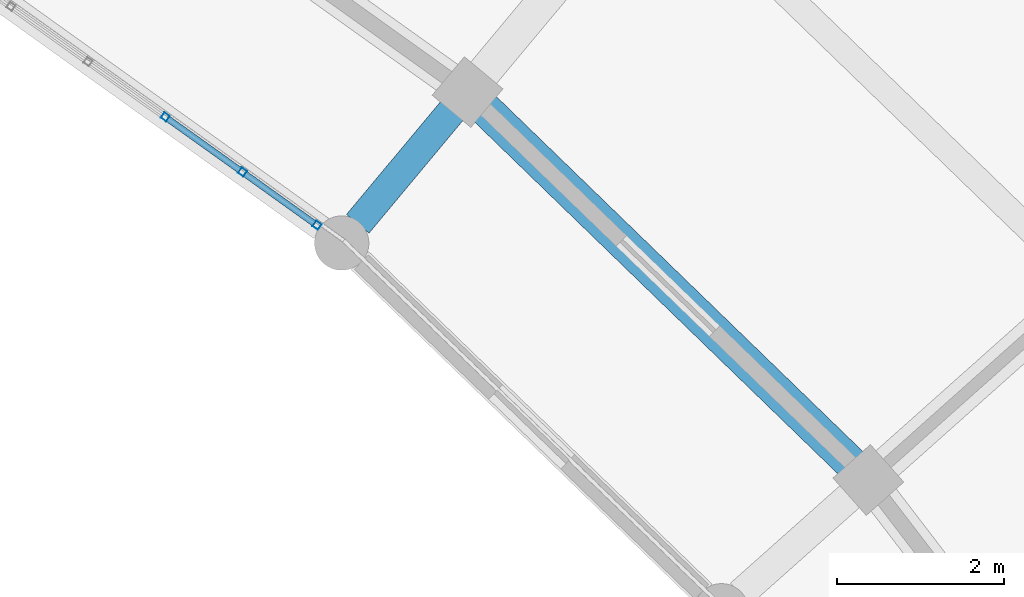
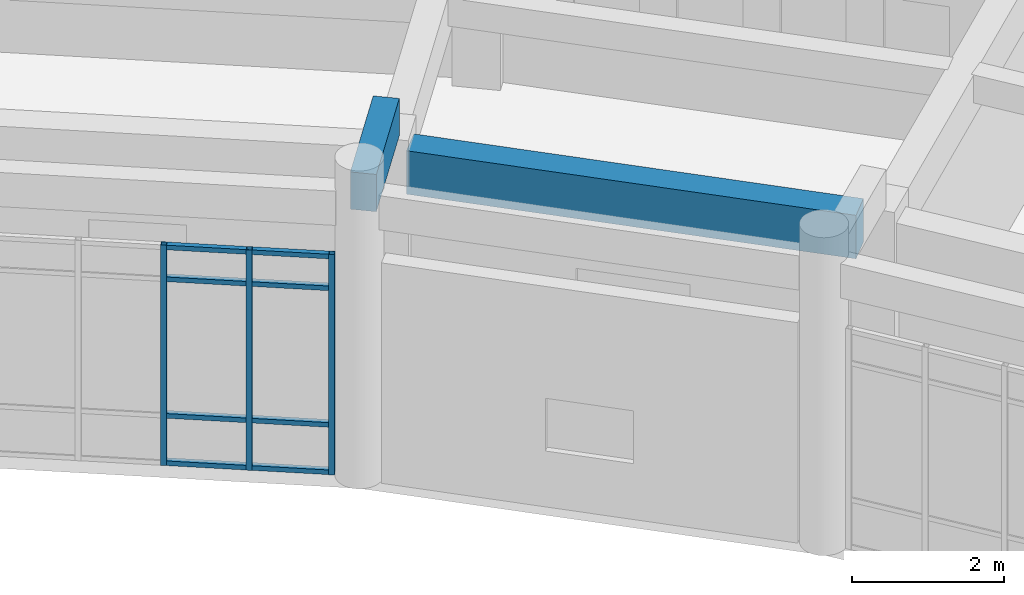
# One storey, part 79 of 159: 11 members, 2 beams, 1 element without a shape of its own.
"""IFC4 building model written with IfcOpenShell, lengths in metres."""

from ifc_helpers import new_model, si_unit, direction, frame, origin, origin_2d, place, context, subcontext, project, spatial, rectangle, hollow_rectangle, extrude, material, material_profile, profile_set, type_object, element, aggregate, save


model = new_model("IFC4")

# Units and contexts
model_context = context("Model", 3, precision=1e-05, world=origin(), true_north=direction((0.0, 1.0)))
body_context = subcontext(model_context, "Body", "Model", "MODEL_VIEW")
ifc_project = project(units=[si_unit("LENGTHUNIT", "METRE"), si_unit("AREAUNIT", "SQUARE_METRE"), si_unit("VOLUMEUNIT", "CUBIC_METRE"), si_unit("PLANEANGLEUNIT", "RADIAN"), si_unit("MASSUNIT", "GRAM", prefix="KILO")], contexts=[model_context])

# Site, building, storey
site_placement = place(None, origin())
site = spatial("IfcSite", under=ifc_project, at=site_placement, CompositionType="ELEMENT")
building_placement = place(site_placement, origin())
building = spatial("IfcBuilding", under=site, at=building_placement, Name="Celadon Cloister-Ring School", CompositionType="ELEMENT")
storey_placement = place(building_placement, frame((0.0, 0.0, 4.5)))
storey = spatial("IfcBuildingStorey", under=building, at=storey_placement, Name="L01", CompositionType="ELEMENT", Elevation=4.5)

# Beam
ifc_material_1 = material(Name="Concrete C35/45", Category="concrete")
ifc_material_profile_1 = material_profile(ifc_material_1, rectangle(XDim=0.35009765625, YDim=0.60009765625, at=origin_2d()), Name="RC350X600")
ifc_profile_set_1 = profile_set([ifc_material_profile_1], Name="Concrete C35/45")
beam_type_1 = type_object("IfcBeamType", Name="BT-02", PredefinedType="BEAM", material=ifc_profile_set_1)
beam_1_placement = place(storey_placement, frame((115.638916015625, 93.35400390625, 4.35009765625), z_axis=(-0.640279058295, -0.768142387523, 0.0), x_axis=(0.768142387523, -0.640279058295, 0.0)))
element("IfcBeam", 1, at=beam_1_placement, inside=storey, type_object=beam_type_1, Name="Beam 0264", PredefinedType="BEAM", context=body_context, shape_type="SweptSolid", body=[
    extrude(rectangle(XDim=0.35009765625, YDim=0.60009765625, at=origin_2d()), origin(), (0.0, 0.0, 1.0), 1.775634765625),
])

# Curtain wall, members
ifc_material_2 = material(Name="Aluminium EN AW-6063 T6", Category="aluminium")
curtain_wall_type = type_object("IfcCurtainWallType", Name="CW-01", PredefinedType="USERDEFINED", material=ifc_material_2)
curtain_wall_placement = place(storey_placement, origin())
curtain_wall = element("IfcCurtainWall", 2, at=curtain_wall_placement, inside=storey, type_object=curtain_wall_type, Name="Curtain Wall 0043", ObjectType="CURTAIN WALL", PredefinedType="USERDEFINED")
ifc_material_3 = material(Name="Aluminium EN AW-6063 T6", Category="aluminium")
ifc_material_profile_2 = material_profile(ifc_material_3, hollow_rectangle(XDim=0.080078125, YDim=0.080078125, WallThickness=0.00390625, at=origin_2d()), Name="RHS80X80X4")
ifc_profile_set_2 = profile_set([ifc_material_profile_2], Name="Aluminium EN AW-6063 T6")
member_type_1 = type_object("IfcMemberType", Name="CM-03", PredefinedType="MULLION", material=ifc_profile_set_2)
member_1_placement = place(storey_placement, frame((114.013427734375, 91.97216796875, 0.0), z_axis=(0.0, 0.0, 1.0), x_axis=(-0.581555173434, -0.813506963862, 0.0)))
member_1 = element("IfcMember", 3, at=member_1_placement, type_object=member_type_1, Name="CW-01 mullion 1", PredefinedType="MULLION", context=body_context, shape_type="SweptSolid", body=[
    extrude(hollow_rectangle(XDim=0.080078125, YDim=0.080078125, WallThickness=0.00390625, at=origin_2d()), origin(), (0.0, 0.0, 1.0), 3.550048828125),
])
member_2_placement = place(storey_placement, frame((113.12353515625, 92.6083984375, 0.0), z_axis=(0.0, 0.0, 1.0), x_axis=(-0.581555173434, -0.813506963862, 0.0)))
member_2 = element("IfcMember", 4, at=member_2_placement, type_object=member_type_1, Name="CW-01 mullion 2", PredefinedType="MULLION", context=body_context, shape_type="SweptSolid", body=[
    extrude(hollow_rectangle(XDim=0.080078125, YDim=0.080078125, WallThickness=0.00390625, at=origin_2d()), origin(), (0.0, 0.0, 1.0), 3.550048828125),
])
member_3_placement = place(storey_placement, frame((112.201171875, 93.267822265625, 0.0), z_axis=(0.0, 0.0, 1.0), x_axis=(-0.581555173434, -0.813506963862, 0.0)))
member_3 = element("IfcMember", 5, at=member_3_placement, type_object=member_type_1, Name="CW-01 mullion 3", PredefinedType="MULLION", context=body_context, shape_type="SweptSolid", body=[
    extrude(hollow_rectangle(XDim=0.080078125, YDim=0.080078125, WallThickness=0.00390625, at=origin_2d()), origin(), (0.0, 0.0, 1.0), 3.550048828125),
])
ifc_material_4 = material(Name="Aluminium EN AW-6063 T6", Category="aluminium")
ifc_material_profile_3 = material_profile(ifc_material_4, hollow_rectangle(XDim=0.074951171875, YDim=0.074951171875, WallThickness=0.00390625, at=origin_2d()), Name="RHS75X75X4")
ifc_profile_set_3 = profile_set([ifc_material_profile_3], Name="Aluminium EN AW-6063 T6")
member_type_2 = type_object("IfcMemberType", Name="CTM-03", PredefinedType="USERDEFINED", material=ifc_profile_set_3)
member_4_placement = place(storey_placement, frame((113.98095703125, 91.99560546875, 0.03759765625), z_axis=(-0.813489325329, 0.581579846261, 0.0), x_axis=(-0.581579846261, -0.813489325329, 0.0)))
member_4 = element("IfcMember", 6, at=member_4_placement, type_object=member_type_2, Name="CW-01 transom 1.1", ObjectType="TRANSOM", PredefinedType="USERDEFINED", context=body_context, shape_type="SweptSolid", body=[
    extrude(hollow_rectangle(XDim=0.074951171875, YDim=0.074951171875, WallThickness=0.00390625, at=origin_2d()), origin(), (0.0, 0.0, 1.0), 1.013671875),
])
member_5_placement = place(storey_placement, frame((113.98095703125, 91.99560546875, 0.800048828125), z_axis=(-0.813489325329, 0.581579846261, 0.0), x_axis=(-0.581579846261, -0.813489325329, 0.0)))
member_5 = element("IfcMember", 7, at=member_5_placement, type_object=member_type_2, Name="CW-01 transom 1.2", ObjectType="TRANSOM", PredefinedType="USERDEFINED", context=body_context, shape_type="SweptSolid", body=[
    extrude(hollow_rectangle(XDim=0.074951171875, YDim=0.074951171875, WallThickness=0.00390625, at=origin_2d()), origin(), (0.0, 0.0, 1.0), 1.013671875),
])
member_6_placement = place(storey_placement, frame((113.98095703125, 91.99560546875, 3.0), z_axis=(-0.813489325329, 0.581579846261, 0.0), x_axis=(-0.581579846261, -0.813489325329, 0.0)))
member_6 = element("IfcMember", 8, at=member_6_placement, type_object=member_type_2, Name="CW-01 transom 1.3", ObjectType="TRANSOM", PredefinedType="USERDEFINED", context=body_context, shape_type="SweptSolid", body=[
    extrude(hollow_rectangle(XDim=0.074951171875, YDim=0.074951171875, WallThickness=0.00390625, at=origin_2d()), origin(), (0.0, 0.0, 1.0), 1.013671875),
])
member_7_placement = place(storey_placement, frame((113.98095703125, 91.99560546875, 3.512451171875), z_axis=(-0.813489325329, 0.581579846261, 0.0), x_axis=(-0.581579846261, -0.813489325329, 0.0)))
member_7 = element("IfcMember", 9, at=member_7_placement, type_object=member_type_2, Name="CW-01 transom 1.4", ObjectType="TRANSOM", PredefinedType="USERDEFINED", context=body_context, shape_type="SweptSolid", body=[
    extrude(hollow_rectangle(XDim=0.074951171875, YDim=0.074951171875, WallThickness=0.00390625, at=origin_2d()), origin(), (0.0, 0.0, 1.0), 1.013671875),
])
member_8_placement = place(storey_placement, frame((113.091064453125, 92.631591796875, 0.03759765625), z_axis=(-0.813467330106, 0.581610611019, 0.0), x_axis=(-0.581610611019, -0.813467330106, 0.0)))
member_8 = element("IfcMember", 10, at=member_8_placement, type_object=member_type_2, Name="CW-01 transom 2.1", ObjectType="TRANSOM", PredefinedType="USERDEFINED", context=body_context, shape_type="SweptSolid", body=[
    extrude(hollow_rectangle(XDim=0.074951171875, YDim=0.074951171875, WallThickness=0.00390625, at=origin_2d()), origin(), (0.0, 0.0, 1.0), 1.053955078125),
])
member_9_placement = place(storey_placement, frame((113.091064453125, 92.631591796875, 0.800048828125), z_axis=(-0.813467330106, 0.581610611019, 0.0), x_axis=(-0.581610611019, -0.813467330106, 0.0)))
member_9 = element("IfcMember", 11, at=member_9_placement, type_object=member_type_2, Name="CW-01 transom 2.2", ObjectType="TRANSOM", PredefinedType="USERDEFINED", context=body_context, shape_type="SweptSolid", body=[
    extrude(hollow_rectangle(XDim=0.074951171875, YDim=0.074951171875, WallThickness=0.00390625, at=origin_2d()), origin(), (0.0, 0.0, 1.0), 1.053955078125),
])
member_10_placement = place(storey_placement, frame((113.091064453125, 92.631591796875, 3.0), z_axis=(-0.813467330106, 0.581610611019, 0.0), x_axis=(-0.581610611019, -0.813467330106, 0.0)))
member_10 = element("IfcMember", 12, at=member_10_placement, type_object=member_type_2, Name="CW-01 transom 2.3", ObjectType="TRANSOM", PredefinedType="USERDEFINED", context=body_context, shape_type="SweptSolid", body=[
    extrude(hollow_rectangle(XDim=0.074951171875, YDim=0.074951171875, WallThickness=0.00390625, at=origin_2d()), origin(), (0.0, 0.0, 1.0), 1.053955078125),
])
member_11_placement = place(storey_placement, frame((113.091064453125, 92.631591796875, 3.512451171875), z_axis=(-0.813467330106, 0.581610611019, 0.0), x_axis=(-0.581610611019, -0.813467330106, 0.0)))
member_11 = element("IfcMember", 13, at=member_11_placement, type_object=member_type_2, Name="CW-01 transom 2.4", ObjectType="TRANSOM", PredefinedType="USERDEFINED", context=body_context, shape_type="SweptSolid", body=[
    extrude(hollow_rectangle(XDim=0.074951171875, YDim=0.074951171875, WallThickness=0.00390625, at=origin_2d()), origin(), (0.0, 0.0, 1.0), 1.053955078125),
])
aggregate(curtain_wall, [member_1, member_2, member_3, member_4, member_5, member_6, member_7, member_8, member_9, member_10, member_11])

# Beam
ifc_material_5 = material(Name="Concrete C35/45", Category="concrete")
ifc_material_profile_4 = material_profile(ifc_material_5, rectangle(XDim=0.39990234375, YDim=0.699951171875, at=origin_2d()), Name="RC400X700")
ifc_profile_set_4 = profile_set([ifc_material_profile_4], Name="Concrete C35/45")
beam_type_2 = type_object("IfcBeamType", Name="GT-03", PredefinedType="USERDEFINED", material=ifc_profile_set_4)
beam_2_placement = place(storey_placement, frame((120.406982421875, 89.118896484375, 3.429931640625), z_axis=(-0.718371111719, 0.695660079239, 0.0), x_axis=(-0.695660079239, -0.718371111719, 0.0)))
element("IfcBeam", 14, at=beam_2_placement, inside=storey, type_object=beam_type_2, Name="Beam 0390", ObjectType="GIRDER", PredefinedType="USERDEFINED", context=body_context, shape_type="SweptSolid", body=[
    extrude(rectangle(XDim=0.39990234375, YDim=0.699951171875, at=origin_2d()), origin(), (0.0, 0.0, 1.0), 6.11669921875),
])

save(model, "model.ifc")
